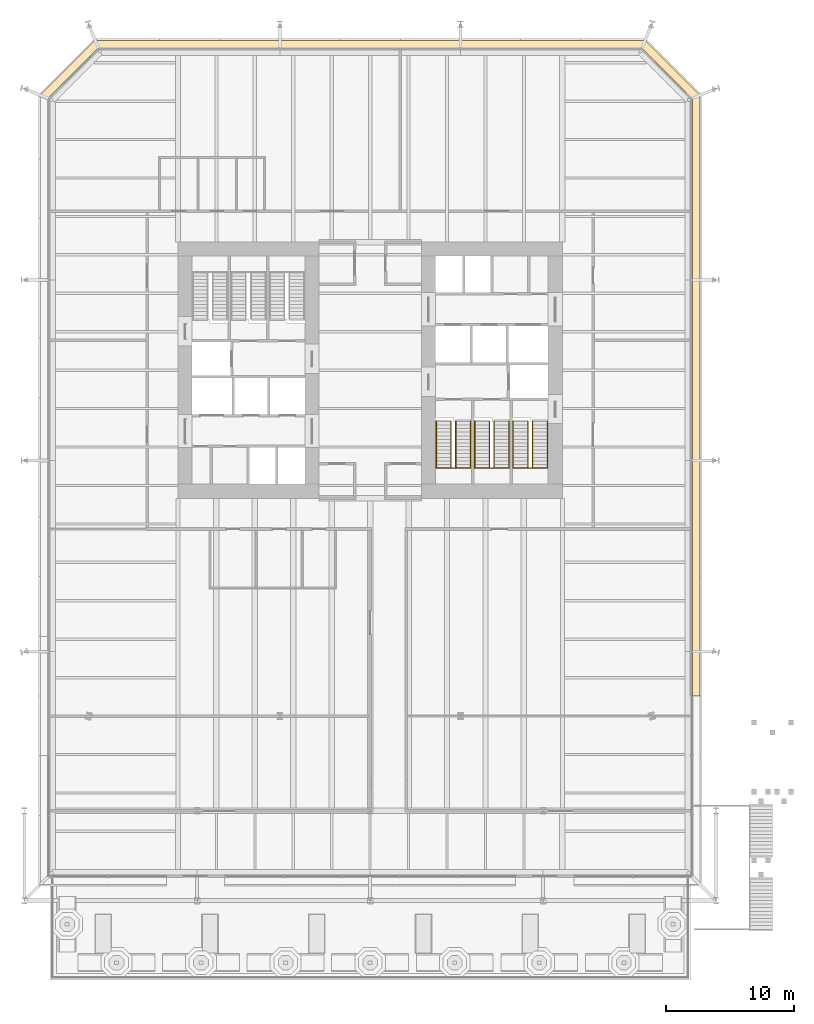
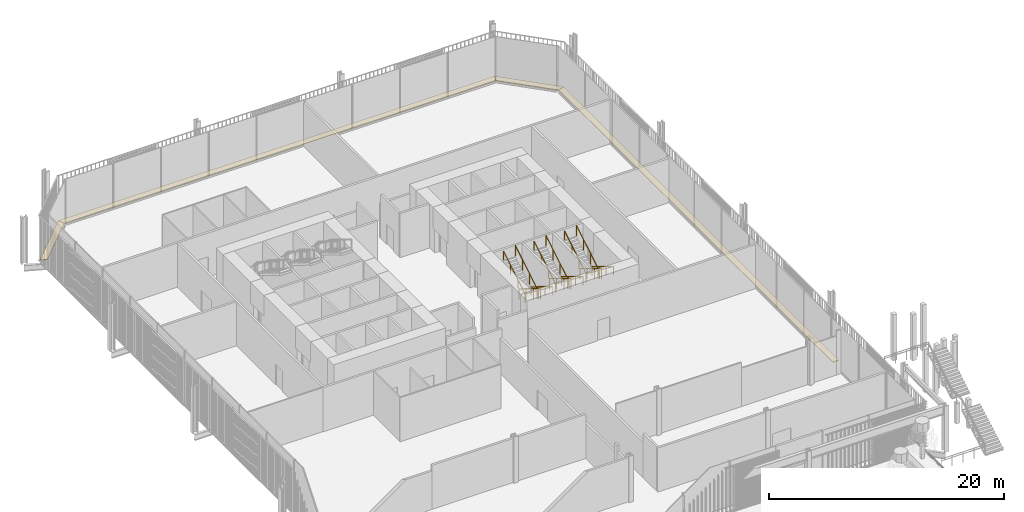
# One storey, part 24 of 25: 6 railings, 4 coverings.
"""IFC4 building model written with IfcOpenShell, lengths in metres."""

from ifc_helpers import new_model, si_unit, direction, frame, origin, origin_2d, place, context, subcontext, project, spatial, polyline, circle, outline, extrude, material, layer, layer_set, type_object, element, save


model = new_model("IFC4")

# Units and contexts
model_context = context("Model", 3, precision=1e-05, world=origin(), true_north=direction((0.0, 1.0)))
body_context = subcontext(model_context, "Body", "Model", "MODEL_VIEW")
ifc_project = project(units=[si_unit("LENGTHUNIT", "METRE"), si_unit("AREAUNIT", "SQUARE_METRE"), si_unit("VOLUMEUNIT", "CUBIC_METRE"), si_unit("PLANEANGLEUNIT", "RADIAN"), si_unit("MASSUNIT", "GRAM", prefix="KILO")], contexts=[model_context])

# Site, building, storey
site_placement = place(None, origin())
site = spatial("IfcSite", under=ifc_project, at=site_placement, CompositionType="ELEMENT")
building_placement = place(site_placement, origin())
building = spatial("IfcBuilding", under=site, at=building_placement, Name="Millrace Tower", CompositionType="ELEMENT")
storey_placement = place(building_placement, frame((0.0, 0.0, 6.5)))
storey = spatial("IfcBuildingStorey", under=building, at=storey_placement, Name="L02", CompositionType="ELEMENT", Elevation=6.5)

# Coverings
ifc_material_1 = material(Name="Steel ASTM A36", Category="steel")
ifc_layer = layer(ifc_material_1, 0.050048828125)
ifc_layer_set = layer_set([ifc_layer], Name="Steel ASTM A36")
covering_type = type_object("IfcCoveringType", Name="CAVITY CATWALK steel grating", PredefinedType="FLOORING", material=ifc_layer_set)
placement = place(storey_placement, frame((0.0, 0.0, 0.10009765625)))
element("IfcCovering", 1, at=placement, inside=storey, type_object=covering_type, Name="Cavity catwalk grating AW2-F02 L02 2", PredefinedType="FLOORING", context=body_context, shape_type="SweptSolid", body=[
    extrude(outline(polyline([(25.75, -25.427001953125), (25.75, 21.460693359375), (25.14990234375, 21.212158203125), (25.14990234375, -25.427001953125), (25.75, -25.427001953125)])), origin(), (0.0, 0.0, 1.0), 0.0498046875),
])
element("IfcCovering", 2, at=placement, inside=storey, type_object=covering_type, Name="Cavity catwalk grating AW2-F03 L02 1", PredefinedType="FLOORING", context=body_context, shape_type="SweptSolid", body=[
    extrude(outline(polyline([(25.75, 21.460693359375), (21.460693359375, 25.75), (21.212158203125, 25.14990234375), (25.14990234375, 21.212158203125), (25.75, 21.460693359375)])), origin(), (0.0, 0.0, 1.0), 0.0498046875),
])
element("IfcCovering", 3, at=placement, inside=storey, type_object=covering_type, Name="Cavity catwalk grating AW2-F04 L02 1", PredefinedType="FLOORING", context=body_context, shape_type="SweptSolid", body=[
    extrude(outline(polyline([(21.460693359375, 25.75), (-21.460693359375, 25.75), (-21.212158203125, 25.14990234375), (21.212158203125, 25.14990234375), (21.460693359375, 25.75)])), origin(), (0.0, 0.0, 1.0), 0.0498046875),
])
element("IfcCovering", 4, at=placement, inside=storey, type_object=covering_type, Name="Cavity catwalk grating AW2-F05 L02 1", PredefinedType="FLOORING", context=body_context, shape_type="SweptSolid", body=[
    extrude(outline(polyline([(-21.460693359375, 25.75), (-25.75, 21.460693359375), (-25.14990234375, 21.212158203125), (-21.212158203125, 25.14990234375), (-21.460693359375, 25.75)])), origin(), (0.0, 0.0, 1.0), 0.0498046875),
])

# Railings
ifc_material_2 = material(Name="Stainless steel ASTM A240 type 316", Category="steel")
railing_type_1 = type_object("IfcRailingType", Name="Stair guard 1100", PredefinedType="GUARDRAIL", material=ifc_material_2)
for number, where, name in (
    (5, (12.679931640625, -4.0, 0.17138671875), "Stair guard 1 E L02"),
    (6, (9.679931640625, -4.0, 0.17138671875), "Stair guard 2 E L02"),
    (7, (6.679931640625, -4.0, 0.17138671875), "Stair guard 3 E L02"),
):
    element("IfcRailing", number, at=place(storey_placement, frame(where)), inside=storey, type_object=railing_type_1, Name=name, PredefinedType="GUARDRAIL", context=body_context, shape_type="SweptSolid", body=[
        extrude(circle(Radius=0.02392578125, at=origin_2d()), frame((0.0, 0.0, 1.076171875), z_axis=(0.0, -0.852850264322, 0.5221555579), x_axis=(1.0, 0.0, 0.0)), (0.0, 0.0, 1.0), 4.267822265625),
        extrude(circle(Radius=0.02392578125, at=origin_2d()), frame((0.0, -3.639892578125, 3.3046875), z_axis=(-0.902837873996, 0.0, 0.429981131306), x_axis=(0.0, -1.0, 0.0)), (0.0, 0.0, 1.0), 0.398681640625),
        extrude(circle(Radius=0.02392578125, at=origin_2d()), frame((-0.35986328125, -3.639892578125, 3.47607421875), z_axis=(0.0, 0.852824790078, 0.522197163366), x_axis=(-1.0, 0.0, 0.0)), (0.0, 0.0, 1.0), 4.26806640625),
        extrude(circle(Radius=0.02099609375, at=origin_2d()), origin(), (0.0, 0.0, 1.0), 1.052001953125),
        extrude(circle(Radius=0.02099609375, at=origin_2d()), frame((0.0, -1.21337890625, 0.742919921875)), (0.0, 0.0, 1.0), 1.052001953125),
        extrude(circle(Radius=0.02099609375, at=origin_2d()), frame((0.0, -2.426513671875, 1.485595703125)), (0.0, 0.0, 1.0), 1.052001953125),
        extrude(circle(Radius=0.02099609375, at=origin_2d()), frame((0.0, -3.639892578125, 2.228515625)), (0.0, 0.0, 1.0), 1.052001953125),
        extrude(circle(Radius=0.02099609375, at=origin_2d()), frame((-0.35986328125, -3.639892578125, 2.39990234375)), (0.0, 0.0, 1.0), 1.052001953125),
        extrude(circle(Radius=0.02099609375, at=origin_2d()), frame((-0.35986328125, -2.426513671875, 3.142822265625)), (0.0, 0.0, 1.0), 1.052001953125),
        extrude(circle(Radius=0.02099609375, at=origin_2d()), frame((-0.35986328125, -1.21337890625, 3.8857421875)), (0.0, 0.0, 1.0), 1.052001953125),
        extrude(circle(Radius=0.02099609375, at=origin_2d()), frame((-0.35986328125, 0.0, 4.628662109375)), (0.0, 0.0, 1.0), 1.052001953125),
    ])
ifc_material_3 = material(Name="Stainless steel ASTM A240 type 316", Category="steel")
railing_type_2 = type_object("IfcRailingType", Name="Stair handrail 900", PredefinedType="HANDRAIL", material=ifc_material_3)
railing_1_placement = place(storey_placement, frame((13.840087890625, -4.0, 0.17138671875)))
element("IfcRailing", 8, at=railing_1_placement, inside=storey, type_object=railing_type_2, Name="Stair handrail 1 E L02", PredefinedType="HANDRAIL", context=body_context, shape_type="SweptSolid", body=[
    extrude(circle(Radius=0.02392578125, at=origin_2d()), frame((0.0, 0.0, 0.8759765625), z_axis=(0.0, -0.852850264322, 0.5221555579), x_axis=(1.0, 0.0, 0.0)), (0.0, 0.0, 1.0), 4.267822265625),
    extrude(circle(Radius=0.02392578125, at=origin_2d()), frame((0.0, -3.639892578125, 3.1044921875), z_axis=(-0.9979616988, 0.0, 0.063815732607), x_axis=(0.0, -1.0, 0.0)), (0.0, 0.0, 1.0), 2.685546875),
    extrude(circle(Radius=0.02392578125, at=origin_2d()), frame((-2.68017578125, -3.639892578125, 3.27587890625), z_axis=(0.0, 0.852824790078, 0.522197163366), x_axis=(-1.0, 0.0, 0.0)), (0.0, 0.0, 1.0), 4.26806640625),
    extrude(circle(Radius=0.02099609375, at=origin_2d()), origin(), (0.0, 0.0, 1.0), 0.851806640625),
    extrude(circle(Radius=0.02099609375, at=origin_2d()), frame((0.0, -1.21337890625, 0.742919921875)), (0.0, 0.0, 1.0), 0.851806640625),
    extrude(circle(Radius=0.02099609375, at=origin_2d()), frame((0.0, -2.426513671875, 1.485595703125)), (0.0, 0.0, 1.0), 0.851806640625),
    extrude(circle(Radius=0.02099609375, at=origin_2d()), frame((0.0, -3.639892578125, 2.228515625)), (0.0, 0.0, 1.0), 0.851806640625),
    extrude(circle(Radius=0.02099609375, at=origin_2d()), frame((-1.340087890625, -3.639892578125, 2.314208984375)), (0.0, 0.0, 1.0), 0.851806640625),
    extrude(circle(Radius=0.02099609375, at=origin_2d()), frame((-2.68017578125, -3.639892578125, 2.39990234375)), (0.0, 0.0, 1.0), 0.851806640625),
    extrude(circle(Radius=0.02099609375, at=origin_2d()), frame((-2.68017578125, -2.426513671875, 3.142822265625)), (0.0, 0.0, 1.0), 0.851806640625),
    extrude(circle(Radius=0.02099609375, at=origin_2d()), frame((-2.68017578125, -1.21337890625, 3.8857421875)), (0.0, 0.0, 1.0), 0.851806640625),
    extrude(circle(Radius=0.02099609375, at=origin_2d()), frame((-2.68017578125, 0.0, 4.628662109375)), (0.0, 0.0, 1.0), 0.851806640625),
])
railing_2_placement = place(storey_placement, frame((10.840087890625, -4.0, 0.17138671875)))
element("IfcRailing", 9, at=railing_2_placement, inside=storey, type_object=railing_type_2, Name="Stair handrail 2 E L02", PredefinedType="HANDRAIL", context=body_context, shape_type="SweptSolid", body=[
    extrude(circle(Radius=0.02392578125, at=origin_2d()), frame((0.0, 0.0, 0.8759765625), z_axis=(0.0, -0.852850264322, 0.5221555579), x_axis=(1.0, 0.0, 0.0)), (0.0, 0.0, 1.0), 4.267822265625),
    extrude(circle(Radius=0.02392578125, at=origin_2d()), frame((0.0, -3.639892578125, 3.1044921875), z_axis=(-0.9979616988, 0.0, 0.063815732607), x_axis=(0.0, -1.0, 0.0)), (0.0, 0.0, 1.0), 2.685546875),
    extrude(circle(Radius=0.02392578125, at=origin_2d()), frame((-2.68017578125, -3.639892578125, 3.27587890625), z_axis=(0.0, 0.852824790078, 0.522197163366), x_axis=(-1.0, 0.0, 0.0)), (0.0, 0.0, 1.0), 4.26806640625),
    extrude(circle(Radius=0.02099609375, at=origin_2d()), origin(), (0.0, 0.0, 1.0), 0.851806640625),
    extrude(circle(Radius=0.02099609375, at=origin_2d()), frame((0.0, -1.21337890625, 0.742919921875)), (0.0, 0.0, 1.0), 0.851806640625),
    extrude(circle(Radius=0.02099609375, at=origin_2d()), frame((0.0, -2.426513671875, 1.485595703125)), (0.0, 0.0, 1.0), 0.851806640625),
    extrude(circle(Radius=0.02099609375, at=origin_2d()), frame((0.0, -3.639892578125, 2.228515625)), (0.0, 0.0, 1.0), 0.851806640625),
    extrude(circle(Radius=0.02099609375, at=origin_2d()), frame((-1.340087890625, -3.639892578125, 2.314208984375)), (0.0, 0.0, 1.0), 0.851806640625),
    extrude(circle(Radius=0.02099609375, at=origin_2d()), frame((-2.68017578125, -3.639892578125, 2.39990234375)), (0.0, 0.0, 1.0), 0.851806640625),
    extrude(circle(Radius=0.02099609375, at=origin_2d()), frame((-2.68017578125, -2.426513671875, 3.142822265625)), (0.0, 0.0, 1.0), 0.851806640625),
    extrude(circle(Radius=0.02099609375, at=origin_2d()), frame((-2.68017578125, -1.21337890625, 3.8857421875)), (0.0, 0.0, 1.0), 0.851806640625),
    extrude(circle(Radius=0.02099609375, at=origin_2d()), frame((-2.68017578125, 0.0, 4.628662109375)), (0.0, 0.0, 1.0), 0.851806640625),
])
railing_3_placement = place(storey_placement, frame((7.840087890625, -4.0, 0.17138671875)))
element("IfcRailing", 10, at=railing_3_placement, inside=storey, type_object=railing_type_2, Name="Stair handrail 3 E L02", PredefinedType="HANDRAIL", context=body_context, shape_type="SweptSolid", body=[
    extrude(circle(Radius=0.02392578125, at=origin_2d()), frame((0.0, 0.0, 0.8759765625), z_axis=(0.0, -0.852850264322, 0.5221555579), x_axis=(1.0, 0.0, 0.0)), (0.0, 0.0, 1.0), 4.267822265625),
    extrude(circle(Radius=0.02392578125, at=origin_2d()), frame((0.0, -3.639892578125, 3.1044921875), z_axis=(-0.9979616988, 0.0, 0.063815732607), x_axis=(0.0, -1.0, 0.0)), (0.0, 0.0, 1.0), 2.685546875),
    extrude(circle(Radius=0.02392578125, at=origin_2d()), frame((-2.68017578125, -3.639892578125, 3.27587890625), z_axis=(0.0, 0.852824790078, 0.522197163366), x_axis=(-1.0, 0.0, 0.0)), (0.0, 0.0, 1.0), 4.26806640625),
    extrude(circle(Radius=0.02099609375, at=origin_2d()), origin(), (0.0, 0.0, 1.0), 0.851806640625),
    extrude(circle(Radius=0.02099609375, at=origin_2d()), frame((0.0, -1.21337890625, 0.742919921875)), (0.0, 0.0, 1.0), 0.851806640625),
    extrude(circle(Radius=0.02099609375, at=origin_2d()), frame((0.0, -2.426513671875, 1.485595703125)), (0.0, 0.0, 1.0), 0.851806640625),
    extrude(circle(Radius=0.02099609375, at=origin_2d()), frame((0.0, -3.639892578125, 2.228515625)), (0.0, 0.0, 1.0), 0.851806640625),
    extrude(circle(Radius=0.02099609375, at=origin_2d()), frame((-1.340087890625, -3.639892578125, 2.314208984375)), (0.0, 0.0, 1.0), 0.851806640625),
    extrude(circle(Radius=0.02099609375, at=origin_2d()), frame((-2.68017578125, -3.639892578125, 2.39990234375)), (0.0, 0.0, 1.0), 0.851806640625),
    extrude(circle(Radius=0.02099609375, at=origin_2d()), frame((-2.68017578125, -2.426513671875, 3.142822265625)), (0.0, 0.0, 1.0), 0.851806640625),
    extrude(circle(Radius=0.02099609375, at=origin_2d()), frame((-2.68017578125, -1.21337890625, 3.8857421875)), (0.0, 0.0, 1.0), 0.851806640625),
    extrude(circle(Radius=0.02099609375, at=origin_2d()), frame((-2.68017578125, 0.0, 4.628662109375)), (0.0, 0.0, 1.0), 0.851806640625),
])

save(model, "model.ifc")
